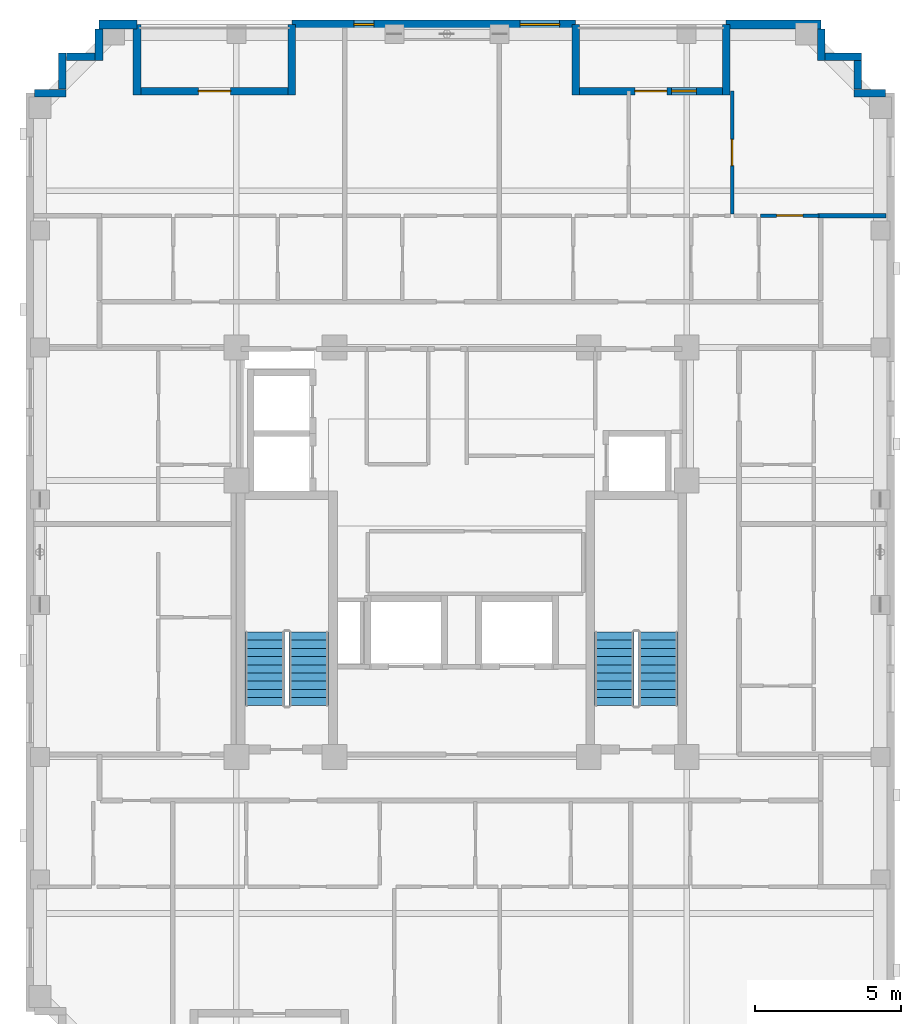
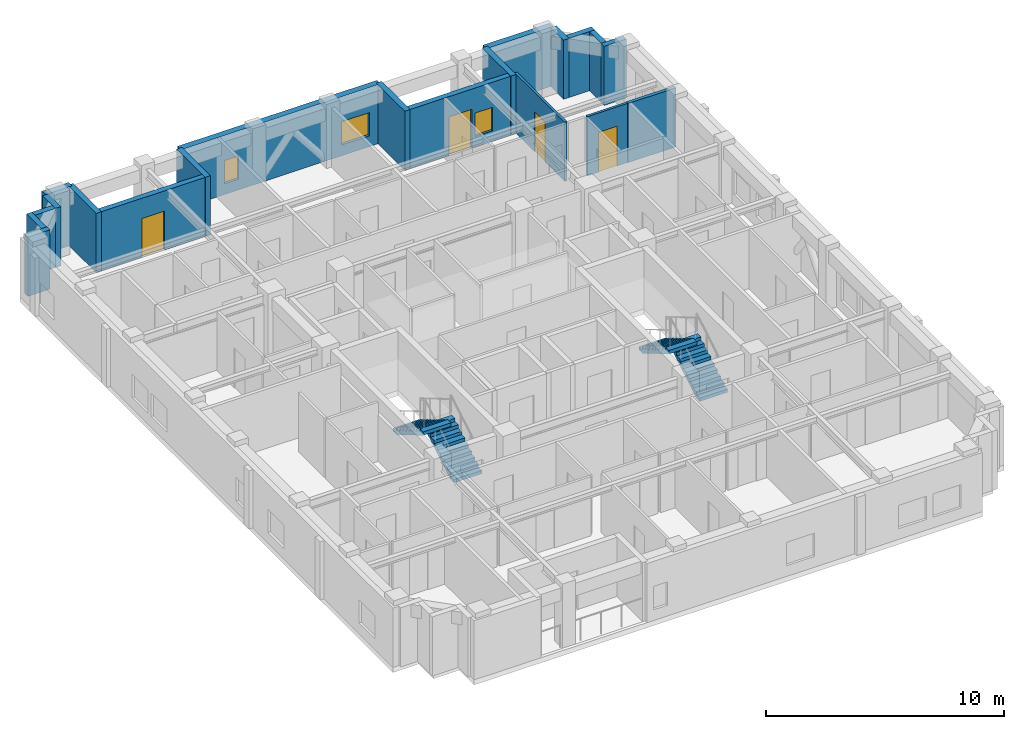
# One storey, part 7 of 11: 20 walls, 4 doors, 4 stair flights, 3 windows, 7 openings, 2 elements without a shape of their own.
"""IFC4 building model written with IfcOpenShell, lengths in metres."""

from ifc_helpers import new_model, si_unit, derived_unit, direction, frame, frame_2d, origin, place, context, subcontext, project, spatial, polyline, rectangle, outline, extrude, material, layer, layer_set, type_object, element, fill, aggregate, save


model = new_model("IFC4")

# Units and contexts
model_context = context("Model", 3, precision=1e-05, world=origin(), true_north=direction((0.0, 1.0)))
body_context = subcontext(model_context, "Body", "Model", "MODEL_VIEW")
ifc_project = project(units=[si_unit("LENGTHUNIT", "METRE"), si_unit("AREAUNIT", "SQUARE_METRE"), si_unit("VOLUMEUNIT", "CUBIC_METRE"), si_unit("PLANEANGLEUNIT", "RADIAN"), si_unit("MASSUNIT", "GRAM", prefix="KILO"), derived_unit("THERMALTRANSMITTANCEUNIT", [(si_unit("MASSUNIT", "GRAM", prefix="KILO"), 1), (si_unit("TIMEUNIT", "SECOND"), -3), (si_unit("THERMODYNAMICTEMPERATUREUNIT", "KELVIN"), -1)])], contexts=[model_context])

# Site, building, storey
site_placement = place(None, origin())
site = spatial("IfcSite", under=ifc_project, at=site_placement, CompositionType="ELEMENT")
building_placement = place(site_placement, origin())
building = spatial("IfcBuilding", under=site, at=building_placement, Name="Korrvale Station Residences", CompositionType="ELEMENT")
storey_placement = place(building_placement, frame((0.0, 0.0, 187.60009765625)))
storey = spatial("IfcBuildingStorey", under=building, at=storey_placement, Name="L54", CompositionType="ELEMENT", Elevation=187.60009765625)

# Wall
ifc_material_1 = material(Name="Precast concrete C45/55", Category="concrete")
ifc_layer_1 = layer(ifc_material_1, 0.260009765625, Name="Precast concrete C45/55")
ifc_layer_set_1 = layer_set([ifc_layer_1], Name="Precast concrete C45/55")
wall_type_1 = type_object("IfcWallType", Name="WAL-EXT-LOG260", PredefinedType="SOLIDWALL", material=ifc_layer_set_1)
wall_1_placement = place(storey_placement, frame((14.39990234375, 40.0400390625, 0.0), z_axis=(0.0, 0.0, 1.0), x_axis=(0.0, -1.0, 0.0)))
element("IfcWall", 1, at=wall_1_placement, inside=storey, type_object=wall_type_1, Name="L54 Recessed Loggia Wall BAL-L54-N2-L", PredefinedType="SOLIDWALL", context=body_context, shape_type="SweptSolid", body=[
    extrude(rectangle(XDim=2.400146484375, YDim=0.260009765625, at=frame_2d((1.2001953125, 0.0))), origin(), (0.0, 0.0, 1.0), 3.039794921875),
])

# Wall, opening, door
wall_2_placement = place(storey_placement, frame((14.533935546875, 37.77001953125, 0.0), z_axis=(0.0, 0.0, 1.0), x_axis=(1.0, 0.0, 0.0)))
wall_2 = element("IfcWall", 2, at=wall_2_placement, inside=storey, type_object=wall_type_1, Name="L54 Recessed Loggia Wall BAL-L54-N2-B", PredefinedType="SOLIDWALL", context=body_context, shape_type="SweptSolid", body=[
    extrude(rectangle(XDim=5.031982421875, YDim=0.260009765625, at=frame_2d((2.51611328125, 0.0))), origin(), (0.0, 0.0, 1.0), 3.039794921875),
])
opening_1_placement = place(wall_2_placement, frame((1.966064453125, 0.0, 0.0)))
opening_1 = element("IfcOpeningElement", 3, at=opening_1_placement, cuts=wall_2, Name="Opening BD-01", PredefinedType="OPENING", context=body_context, shape_type="SweptSolid", body=[
    extrude(rectangle(XDim=1.10009765625, YDim=2.0, at=frame_2d((0.550048828125, 1.0))), frame((0.0, 0.14013671875, 0.0), z_axis=(0.0, -1.0, 0.0), x_axis=(1.0, 0.0, 0.0)), (0.0, 0.0, 1.0), 0.280029296875),
])
ifc_material_2 = material(Name="Exterior thermally broken aluminium glazed balcony door", Category="aluminium")
door_type_1 = type_object("IfcDoorType", Name="DR-EXT-BAL", OperationType="NOTDEFINED", PredefinedType="DOOR", material=ifc_material_2)
door_1_placement = place(opening_1_placement, origin())
door_1 = element("IfcDoor", 4, at=door_1_placement, inside=storey, type_object=door_type_1, Name="L54 Loggia Balcony Door BAL-L54-N2", OperationType="SINGLE_SWING_RIGHT", OverallHeight=2.0, OverallWidth=1.10009765625, PredefinedType="DOOR", context=body_context, shape_type="SweptSolid", body=[
    extrude(rectangle(XDim=1.10009765625, YDim=2.0, at=frame_2d((0.550048828125, 1.0))), frame((0.0, 0.02490234375, 0.0), z_axis=(0.0, -1.0, 0.0), x_axis=(1.0, 0.0, 0.0)), (0.0, 0.0, 1.0), 0.050048828125),
])
fill(opening_1, door_1)

# Walls
for number, where, z_axis, x_axis, name in (
    (5, (19.699951171875, 37.639892578125, 0.0), (0.0, 0.0, 1.0), (0.0, 1.0, 0.0), "L54 Recessed Loggia Wall BAL-L54-N2-R"),
    (6, (29.39990234375, 40.0400390625, 0.0), (0.0, 0.0, 1.0), (0.0, -1.0, 0.0), "L54 Recessed Loggia Wall BAL-L54-N1-L"),
):
    element("IfcWall", number, at=place(storey_placement, frame(where, z_axis=z_axis, x_axis=x_axis)), inside=storey, type_object=wall_type_1, Name=name, PredefinedType="SOLIDWALL", context=body_context, shape_type="SweptSolid", body=[
        extrude(rectangle(XDim=2.400146484375, YDim=0.260009765625, at=frame_2d((1.2001953125, 0.0))), origin(), (0.0, 0.0, 1.0), 3.039794921875),
    ])

# Wall, openings, door, window
wall_3_placement = place(storey_placement, frame((29.533935546875, 37.77001953125, 0.0), z_axis=(0.0, 0.0, 1.0), x_axis=(1.0, 0.0, 0.0)))
wall_3 = element("IfcWall", 7, at=wall_3_placement, inside=storey, type_object=wall_type_1, Name="L54 Recessed Loggia Wall BAL-L54-N1-B", PredefinedType="SOLIDWALL", context=body_context, shape_type="SweptSolid", body=[
    extrude(rectangle(XDim=4.882080078125, YDim=0.260009765625, at=frame_2d((2.44091796875, 0.0))), origin(), (0.0, 0.0, 1.0), 3.039794921875),
])
opening_2_placement = place(wall_3_placement, frame((1.89111328125, 0.0, 0.0)))
opening_2 = element("IfcOpeningElement", 8, at=opening_2_placement, cuts=wall_3, Name="Opening BD-01", PredefinedType="OPENING", context=body_context, shape_type="SweptSolid", body=[
    extrude(rectangle(XDim=1.10009765625, YDim=2.0, at=frame_2d((0.550048828125, 1.0))), frame((0.0, 0.14013671875, 0.0), z_axis=(0.0, -1.0, 0.0), x_axis=(1.0, 0.0, 0.0)), (0.0, 0.0, 1.0), 0.280029296875),
])
opening_3_placement = place(wall_3_placement, frame((3.15087890625, 0.0, 0.550048828125)))
opening_3 = element("IfcOpeningElement", 9, at=opening_3_placement, cuts=wall_3, Name="Opening W-11", PredefinedType="OPENING", context=body_context, shape_type="SweptSolid", body=[
    extrude(rectangle(XDim=0.85009765625, YDim=1.199951171875, at=frame_2d((0.425048828125, 0.60009765625))), frame((0.0, 0.14013671875, 0.0), z_axis=(0.0, -1.0, 0.0), x_axis=(1.0, 0.0, 0.0)), (0.0, 0.0, 1.0), 0.280029296875),
])
door_2_placement = place(opening_2_placement, origin())
door_2 = element("IfcDoor", 10, at=door_2_placement, inside=storey, type_object=door_type_1, Name="L54 Loggia Balcony Door BAL-L54-N1", OperationType="SINGLE_SWING_LEFT", OverallHeight=2.0, OverallWidth=1.10009765625, PredefinedType="DOOR", context=body_context, shape_type="SweptSolid", body=[
    extrude(rectangle(XDim=1.10009765625, YDim=2.0, at=frame_2d((0.550048828125, 1.0))), frame((0.0, 0.02490234375, 0.0), z_axis=(0.0, -1.0, 0.0), x_axis=(1.0, 0.0, 0.0)), (0.0, 0.0, 1.0), 0.050048828125),
])
fill(opening_2, door_2)
ifc_material_3 = material(Name="Thermally broken aluminium frame with triple low-e glazing", Category="aluminium")
window_type_1 = type_object("IfcWindowType", Name="WIN-W11", PartitioningType="SINGLE_PANEL", PredefinedType="WINDOW", material=ifc_material_3)
window_1_placement = place(opening_3_placement, origin())
window_1 = element("IfcWindow", 11, at=window_1_placement, inside=storey, type_object=window_type_1, Name="L54 Punched Window 09", OverallHeight=1.199951171875, OverallWidth=0.85009765625, PartitioningType="SINGLE_PANEL", PredefinedType="WINDOW", context=body_context, shape_type="SweptSolid", body=[
    extrude(rectangle(XDim=0.85009765625, YDim=1.199951171875, at=frame_2d((0.425048828125, 0.60009765625))), frame((0.0, 0.030029296875, 0.0), z_axis=(0.0, -1.0, 0.0), x_axis=(1.0, 0.0, 0.0)), (0.0, 0.0, 1.0), 0.06005859375),
])
fill(opening_3, window_1)

# Walls
wall_4_placement = place(storey_placement, frame((34.550048828125, 37.639892578125, 0.0), z_axis=(0.0, 0.0, 1.0), x_axis=(0.0, 1.0, 0.0)))
element("IfcWall", 12, at=wall_4_placement, inside=storey, type_object=wall_type_1, Name="L54 Recessed Loggia Wall BAL-L54-N1-R", PredefinedType="SOLIDWALL", context=body_context, shape_type="SweptSolid", body=[
    extrude(rectangle(XDim=2.400146484375, YDim=0.260009765625, at=frame_2d((1.2001953125, 0.0))), origin(), (0.0, 0.0, 1.0), 3.039794921875),
])
wall_5_placement = place(storey_placement, frame((10.902099609375, 37.699951171875, 0.0), z_axis=(0.0, 0.0, 1.0), x_axis=(1.0, 0.0, 0.0)))
element("IfcWall", 13, at=wall_5_placement, inside=storey, type_object=wall_type_1, Name="L54 Serrated Corner Precast Step NW-1", PredefinedType="SOLIDWALL", context=body_context, shape_type="SweptSolid", body=[
    extrude(rectangle(XDim=1.077880859375, YDim=0.260009765625, at=frame_2d((0.5390625, 0.0))), origin(), (0.0, 0.0, 1.0), 3.039794921875),
])
wall_6_placement = place(storey_placement, frame((11.85009765625, 37.83203125, 0.0), z_axis=(0.0, 0.0, 1.0), x_axis=(0.0, 1.0, 0.0)))
element("IfcWall", 14, at=wall_6_placement, inside=storey, type_object=wall_type_1, Name="L54 Serrated Corner Precast Step NW-2", PredefinedType="SOLIDWALL", context=body_context, shape_type="SweptSolid", body=[
    extrude(rectangle(XDim=1.248046875, YDim=0.260009765625, at=frame_2d((0.6240234375, 0.0))), origin(), (0.0, 0.0, 1.0), 3.039794921875),
])
wall_7_placement = place(storey_placement, frame((11.98193359375, 38.949951171875, 0.0), z_axis=(0.0, 0.0, 1.0), x_axis=(1.0, 0.0, 0.0)))
element("IfcWall", 15, at=wall_7_placement, inside=storey, type_object=wall_type_1, Name="L54 Serrated Corner Precast Step NW-3", PredefinedType="SOLIDWALL", context=body_context, shape_type="SweptSolid", body=[
    extrude(rectangle(XDim=0.986083984375, YDim=0.260009765625, at=frame_2d((0.4931640625, 0.0))), origin(), (0.0, 0.0, 1.0), 3.039794921875),
])
for number, where, z_axis, x_axis, name in (
    (16, (13.10009765625, 38.820068359375, 0.0), (0.0, 0.0, 1.0), (0.0, 1.0, 0.0), "L54 Serrated Corner Precast Step NW-4"),
    (17, (37.800048828125, 39.89794921875, 0.0), (0.0, 0.0, 1.0), (0.0, -1.0, 0.0), "L54 Serrated Corner Precast Step NE-1"),
):
    element("IfcWall", number, at=place(storey_placement, frame(where, z_axis=z_axis, x_axis=x_axis)), inside=storey, type_object=wall_type_1, Name=name, PredefinedType="SOLIDWALL", context=body_context, shape_type="SweptSolid", body=[
        extrude(rectangle(XDim=1.077880859375, YDim=0.260009765625, at=frame_2d((0.5390625, 0.0))), origin(), (0.0, 0.0, 1.0), 3.039794921875),
    ])
wall_8_placement = place(storey_placement, frame((37.931884765625, 38.949951171875, 0.0), z_axis=(0.0, 0.0, 1.0), x_axis=(1.0, 0.0, 0.0)))
element("IfcWall", 18, at=wall_8_placement, inside=storey, type_object=wall_type_1, Name="L54 Serrated Corner Precast Step NE-2", PredefinedType="SOLIDWALL", context=body_context, shape_type="SweptSolid", body=[
    extrude(rectangle(XDim=1.248046875, YDim=0.260009765625, at=frame_2d((0.6240234375, 0.0))), origin(), (0.0, 0.0, 1.0), 3.039794921875),
])
wall_9_placement = place(storey_placement, frame((39.050048828125, 38.818115234375, 0.0), z_axis=(0.0, 0.0, 1.0), x_axis=(0.0, -1.0, 0.0)))
element("IfcWall", 19, at=wall_9_placement, inside=storey, type_object=wall_type_1, Name="L54 Serrated Corner Precast Step NE-3", PredefinedType="SOLIDWALL", context=body_context, shape_type="SweptSolid", body=[
    extrude(rectangle(XDim=0.986083984375, YDim=0.260009765625, at=frame_2d((0.4931640625, 0.0))), origin(), (0.0, 0.0, 1.0), 3.039794921875),
])
wall_10_placement = place(storey_placement, frame((38.919921875, 37.699951171875, 0.0), z_axis=(0.0, 0.0, 1.0), x_axis=(1.0, 0.0, 0.0)))
element("IfcWall", 20, at=wall_10_placement, inside=storey, type_object=wall_type_1, Name="L54 Serrated Corner Precast Step NE-4", PredefinedType="SOLIDWALL", context=body_context, shape_type="SweptSolid", body=[
    extrude(rectangle(XDim=1.078125, YDim=0.260009765625, at=frame_2d((0.5390625, 0.0))), origin(), (0.0, 0.0, 1.0), 3.039794921875),
])
ifc_layer_2 = layer(ifc_material_1, 0.300048828125, Name="Precast concrete C45/55")
ifc_layer_set_2 = layer_set([ifc_layer_2], Name="Precast concrete C45/55")
wall_type_2 = type_object("IfcWallType", Name="WAL-EXT-PC300", PredefinedType="SOLIDWALL", material=ifc_layer_set_2)
wall_11_placement = place(storey_placement, frame((13.10009765625, 40.050048828125, 0.0), z_axis=(0.0, 0.0, 1.0), x_axis=(1.0, 0.0, 0.0)))
element("IfcWall", 21, at=wall_11_placement, inside=storey, type_object=wall_type_2, Name="L54 North Exterior Precast Wall 1", PredefinedType="SOLIDWALL", context=body_context, shape_type="SweptSolid", body=[
    extrude(rectangle(XDim=1.2998046875, YDim=0.300048828125, at=frame_2d((0.64990234375, 0.0))), origin(), (0.0, 0.0, 1.0), 3.039794921875),
])

# Wall, openings, windows
wall_12_placement = place(storey_placement, frame((19.699951171875, 40.050048828125, 0.0), z_axis=(0.0, 0.0, 1.0), x_axis=(1.0, 0.0, 0.0)))
wall_12 = element("IfcWall", 22, at=wall_12_placement, inside=storey, type_object=wall_type_2, Name="L54 North Exterior Precast Wall 2", PredefinedType="SOLIDWALL", context=body_context, shape_type="SweptSolid", body=[
    extrude(rectangle(XDim=9.699951171875, YDim=0.300048828125, at=frame_2d((4.85009765625, 0.0))), origin(), (0.0, 0.0, 1.0), 3.039794921875),
])
opening_4_placement = place(wall_12_placement, frame((2.1201171875, 0.0, 0.550048828125)))
opening_4 = element("IfcOpeningElement", 23, at=opening_4_placement, cuts=wall_12, Name="Opening W-12", PredefinedType="OPENING", context=body_context, shape_type="SweptSolid", body=[
    extrude(rectangle(XDim=0.679931640625, YDim=1.199951171875, at=frame_2d((0.33984375, 0.60009765625))), frame((0.0, 0.16015625, 0.0), z_axis=(0.0, -1.0, 0.0), x_axis=(1.0, 0.0, 0.0)), (0.0, 0.0, 1.0), 0.320068359375),
])
opening_5_placement = place(wall_12_placement, frame((7.800048828125, 0.0, 0.550048828125)))
opening_5 = element("IfcOpeningElement", 24, at=opening_5_placement, cuts=wall_12, Name="Opening W-10", PredefinedType="OPENING", context=body_context, shape_type="SweptSolid", body=[
    extrude(rectangle(XDim=1.35009765625, YDim=1.199951171875, at=frame_2d((0.675048828125, 0.60009765625))), frame((0.0, 0.16015625, 0.0), z_axis=(0.0, -1.0, 0.0), x_axis=(1.0, 0.0, 0.0)), (0.0, 0.0, 1.0), 0.320068359375),
])
window_type_2 = type_object("IfcWindowType", Name="WIN-W10", PartitioningType="SINGLE_PANEL", PredefinedType="WINDOW", material=ifc_material_3)
window_2_placement = place(opening_5_placement, origin())
window_2 = element("IfcWindow", 25, at=window_2_placement, inside=storey, type_object=window_type_2, Name="L54 Punched Window 08", OverallHeight=1.199951171875, OverallWidth=1.35009765625, PartitioningType="SINGLE_PANEL", PredefinedType="WINDOW", context=body_context, shape_type="SweptSolid", body=[
    extrude(rectangle(XDim=1.35009765625, YDim=1.199951171875, at=frame_2d((0.675048828125, 0.60009765625))), frame((0.0, 0.030029296875, 0.0), z_axis=(0.0, -1.0, 0.0), x_axis=(1.0, 0.0, 0.0)), (0.0, 0.0, 1.0), 0.06005859375),
])
fill(opening_5, window_2)
window_type_3 = type_object("IfcWindowType", Name="WIN-W12", PartitioningType="SINGLE_PANEL", PredefinedType="WINDOW", material=ifc_material_3)
window_3_placement = place(opening_4_placement, origin())
window_3 = element("IfcWindow", 26, at=window_3_placement, inside=storey, type_object=window_type_3, Name="L54 Punched Window 07", OverallHeight=1.199951171875, OverallWidth=0.679931640625, PartitioningType="SINGLE_PANEL", PredefinedType="WINDOW", context=body_context, shape_type="SweptSolid", body=[
    extrude(rectangle(XDim=0.679931640625, YDim=1.199951171875, at=frame_2d((0.33984375, 0.60009765625))), frame((0.0, 0.030029296875, 0.0), z_axis=(0.0, -1.0, 0.0), x_axis=(1.0, 0.0, 0.0)), (0.0, 0.0, 1.0), 0.06005859375),
])
fill(opening_4, window_3)

# Wall
wall_13_placement = place(storey_placement, frame((34.550048828125, 40.050048828125, 0.0), z_axis=(0.0, 0.0, 1.0), x_axis=(1.0, 0.0, 0.0)))
element("IfcWall", 27, at=wall_13_placement, inside=storey, type_object=wall_type_2, Name="L54 North Exterior Precast Wall 3", PredefinedType="SOLIDWALL", context=body_context, shape_type="SweptSolid", body=[
    extrude(rectangle(XDim=3.25, YDim=0.300048828125, at=frame_2d((1.625, 0.0))), origin(), (0.0, 0.0, 1.0), 3.039794921875),
])

# Wall, opening, door
ifc_material_4 = material(Name="Acoustic steel-stud gypsum board partition", Category="steel")
ifc_layer_3 = layer(ifc_material_4, 0.1201171875, Name="Acoustic steel-stud gypsum board partition")
ifc_layer_set_3 = layer_set([ifc_layer_3], Name="Acoustic steel-stud gypsum board partition")
wall_type_3 = type_object("IfcWallType", Name="WAL-PART-125", PredefinedType="PARTITIONING", material=ifc_layer_set_3)
wall_14_placement = place(storey_placement, frame((35.73193359375, 33.510009765625, 0.0), z_axis=(0.0, 0.0, 1.0), x_axis=(1.0, 0.0, 0.0)))
wall_14 = element("IfcWall", 28, at=wall_14_placement, inside=storey, type_object=wall_type_3, Name="L54 Suite Partition U06-H36", PredefinedType="PARTITIONING", context=body_context, shape_type="SweptSolid", body=[
    extrude(rectangle(XDim=1.988037109375, YDim=0.1201171875, at=frame_2d((0.994140625, 0.0))), origin(), (0.0, 0.0, 1.0), 3.039794921875),
])
opening_6_placement = place(wall_14_placement, frame((0.5439453125, 0.0, 0.0)))
opening_6 = element("IfcOpeningElement", 29, at=opening_6_placement, cuts=wall_14, Name="Opening DI-900", PredefinedType="OPENING", context=body_context, shape_type="SweptSolid", body=[
    extrude(rectangle(XDim=0.89990234375, YDim=2.050048828125, at=frame_2d((0.449951171875, 1.02490234375))), frame((0.0, 0.070068359375, 0.0), z_axis=(0.0, -1.0, 0.0), x_axis=(1.0, 0.0, 0.0)), (0.0, 0.0, 1.0), 0.14013671875),
])
ifc_material_5 = material(Name="Painted solid-core timber interior room door", Category="wood")
door_type_2 = type_object("IfcDoorType", Name="DR-INT-900", OperationType="NOTDEFINED", PredefinedType="DOOR", material=ifc_material_5)
door_3_placement = place(opening_6_placement, origin())
door_3 = element("IfcDoor", 30, at=door_3_placement, inside=storey, type_object=door_type_2, Name="L54 Apartment 1BR L54-U06 Utility and Laundry Room Door", OperationType="SINGLE_SWING_LEFT", OverallHeight=2.050048828125, OverallWidth=0.89990234375, PredefinedType="DOOR", context=body_context, shape_type="SweptSolid", body=[
    extrude(rectangle(XDim=0.89990234375, YDim=2.050048828125, at=frame_2d((0.449951171875, 1.02490234375))), frame((0.0, 0.02490234375, 0.0), z_axis=(0.0, -1.0, 0.0), x_axis=(1.0, 0.0, 0.0)), (0.0, 0.0, 1.0), 0.050048828125),
])
fill(opening_6, door_3)

wall_15_placement = place(storey_placement, frame((34.75, 33.570068359375, 0.0), z_axis=(0.0, 0.0, 1.0), x_axis=(0.0, 1.0, 0.0)))
wall_15 = element("IfcWall", 31, at=wall_15_placement, inside=storey, type_object=wall_type_3, Name="L54 Suite Partition U06-V56", PredefinedType="PARTITIONING", context=body_context, shape_type="SweptSolid", body=[
    extrude(rectangle(XDim=4.199951171875, YDim=0.1201171875, at=frame_2d((2.10009765625, 0.0))), origin(), (0.0, 0.0, 1.0), 3.039794921875),
])
opening_7_placement = place(wall_15_placement, frame((1.64990234375, 0.0, 0.0)))
opening_7 = element("IfcOpeningElement", 32, at=opening_7_placement, cuts=wall_15, Name="Opening DI-900", PredefinedType="OPENING", context=body_context, shape_type="SweptSolid", body=[
    extrude(rectangle(XDim=0.89990234375, YDim=2.050048828125, at=frame_2d((0.449951171875, 1.02490234375))), frame((0.0, 0.070068359375, 0.0), z_axis=(0.0, -1.0, 0.0), x_axis=(1.0, 0.0, 0.0)), (0.0, 0.0, 1.0), 0.14013671875),
])
door_4_placement = place(opening_7_placement, origin())
door_4 = element("IfcDoor", 33, at=door_4_placement, inside=storey, type_object=door_type_2, Name="L54 Apartment 1BR L54-U06 Formal Dining Room Door", OperationType="SINGLE_SWING_LEFT", OverallHeight=2.050048828125, OverallWidth=0.89990234375, PredefinedType="DOOR", context=body_context, shape_type="SweptSolid", body=[
    extrude(rectangle(XDim=0.89990234375, YDim=2.050048828125, at=frame_2d((0.449951171875, 1.02490234375))), frame((0.0, 0.02490234375, 0.0), z_axis=(0.0, -1.0, 0.0), x_axis=(1.0, 0.0, 0.0)), (0.0, 0.0, 1.0), 0.050048828125),
])
fill(opening_7, door_4)

# Wall
ifc_material_6 = material(Name="Fire-rated twin-stud gypsum and mineral wool shaftwall assembly", Category="gypsum")
ifc_layer_4 = layer(ifc_material_6, 0.159912109375, Name="Fire-rated twin-stud gypsum and mineral wool shaftwall assembly")
ifc_layer_set_4 = layer_set([ifc_layer_4], Name="Fire-rated twin-stud gypsum and mineral wool shaftwall assembly")
wall_type_4 = type_object("IfcWallType", Name="WAL-PART-200", PredefinedType="PARTITIONING", material=ifc_layer_set_4)
wall_16_placement = place(storey_placement, frame((37.679931640625, 33.510009765625, 0.0), z_axis=(0.0, 0.0, 1.0), x_axis=(1.0, 0.0, 0.0)))
element("IfcWall", 34, at=wall_16_placement, inside=storey, type_object=wall_type_4, Name="L54 Corner Step Wall U06-R", PredefinedType="PARTITIONING", context=body_context, shape_type="SweptSolid", body=[
    extrude(rectangle(XDim=2.340087890625, YDim=0.159912109375, at=frame_2d((1.169921875, 0.0))), origin(), (0.0, 0.0, 1.0), 3.039794921875),
])

# Stair, stair flights
ifc_material_7 = material(Name="Concrete C50/60", Category="concrete")
stair_type = type_object("IfcStairType", Name="STR-DL-1350-20R-1650", PredefinedType="HALF_TURN_STAIR", material=ifc_material_7)
stair_1_placement = place(storey_placement, origin())
stair_1 = element("IfcStair", 35, at=stair_1_placement, inside=storey, type_object=stair_type, Name="L54 Exit Stair 1", PredefinedType="HALF_TURN_STAIR")
stair_flight_type = type_object("IfcStairFlightType", Name="FLT-DL-1350-20R-1650", PredefinedType="STRAIGHT", material=ifc_material_7)
stair_flight_1_placement = place(storey_placement, frame((20.27490234375, 16.75, 0.0), z_axis=(0.0, 0.0, 1.0), x_axis=(0.0, 1.0, 0.0)))
stair_flight_1 = element("IfcStairFlight", 36, at=stair_flight_1_placement, type_object=stair_flight_type, Name="ST-1 flight 1", NumberOfRisers=10, NumberOfTreads=9, PredefinedType="STRAIGHT", RiserHeight=0.165, TreadLength=0.28, context=body_context, shape_type="SweptSolid", body=[
    extrude(outline(polyline([(0.0, 0.0), (0.0, 0.1650390625), (0.280029296875, 0.1650390625), (0.280029296875, 0.330078125), (0.56005859375, 0.330078125), (0.56005859375, 0.4951171875), (0.840087890625, 0.4951171875), (0.840087890625, 0.659912109375), (1.1201171875, 0.659912109375), (1.1201171875, 0.824951171875), (1.39990234375, 0.824951171875), (1.39990234375, 0.989990234375), (1.679931640625, 0.989990234375), (1.679931640625, 1.155029296875), (1.9599609375, 1.155029296875), (1.9599609375, 1.320068359375), (2.239990234375, 1.320068359375), (2.239990234375, 1.485107421875), (2.52001953125, 1.485107421875), (2.52001953125, 1.64990234375), (2.52001953125, 1.31103515625), (0.295166015625, 0.0), (0.0, 0.0)])), frame((0.0, 0.675048828125, 0.0), z_axis=(0.0, -1.0, 0.0), x_axis=(1.0, 0.0, 0.0)), (0.0, 0.0, 1.0), 1.35009765625),
])
stair_flight_2_placement = place(storey_placement, frame((18.77490234375, 19.27001953125, 1.64990234375), z_axis=(0.0, 0.0, 1.0), x_axis=(0.0, -1.0, 0.0)))
stair_flight_2 = element("IfcStairFlight", 37, at=stair_flight_2_placement, type_object=stair_flight_type, Name="ST-1 flight 2", NumberOfRisers=10, NumberOfTreads=9, PredefinedType="STRAIGHT", RiserHeight=0.165, TreadLength=0.28, context=body_context, shape_type="SweptSolid", body=[
    extrude(outline(polyline([(0.0, 0.0), (0.0, 0.1650390625), (0.280029296875, 0.1650390625), (0.280029296875, 0.330078125), (0.56005859375, 0.330078125), (0.56005859375, 0.4951171875), (0.840087890625, 0.4951171875), (0.840087890625, 0.659912109375), (1.1201171875, 0.659912109375), (1.1201171875, 0.824951171875), (1.39990234375, 0.824951171875), (1.39990234375, 0.989990234375), (1.679931640625, 0.989990234375), (1.679931640625, 1.155029296875), (1.9599609375, 1.155029296875), (1.9599609375, 1.320068359375), (2.239990234375, 1.320068359375), (2.239990234375, 1.485107421875), (2.52001953125, 1.485107421875), (2.52001953125, 1.64990234375), (2.52001953125, 1.31103515625), (0.295166015625, 0.0), (0.0, 0.0)])), frame((0.0, 0.675048828125, 0.0), z_axis=(0.0, -1.0, 0.0), x_axis=(1.0, 0.0, 0.0)), (0.0, 0.0, 1.0), 1.35009765625),
])
aggregate(stair_1, [stair_flight_1, stair_flight_2])

stair_2_placement = place(storey_placement, origin())
stair_2 = element("IfcStair", 38, at=stair_2_placement, inside=storey, type_object=stair_type, Name="L54 Exit Stair 2", PredefinedType="HALF_TURN_STAIR")
stair_flight_3_placement = place(storey_placement, frame((32.22509765625, 16.75, 0.0), z_axis=(0.0, 0.0, 1.0), x_axis=(0.0, 1.0, 0.0)))
stair_flight_3 = element("IfcStairFlight", 39, at=stair_flight_3_placement, type_object=stair_flight_type, Name="ST-2 flight 1", NumberOfRisers=10, NumberOfTreads=9, PredefinedType="STRAIGHT", RiserHeight=0.165, TreadLength=0.28, context=body_context, shape_type="SweptSolid", body=[
    extrude(outline(polyline([(0.0, 0.0), (0.0, 0.1650390625), (0.280029296875, 0.1650390625), (0.280029296875, 0.330078125), (0.56005859375, 0.330078125), (0.56005859375, 0.4951171875), (0.840087890625, 0.4951171875), (0.840087890625, 0.659912109375), (1.1201171875, 0.659912109375), (1.1201171875, 0.824951171875), (1.39990234375, 0.824951171875), (1.39990234375, 0.989990234375), (1.679931640625, 0.989990234375), (1.679931640625, 1.155029296875), (1.9599609375, 1.155029296875), (1.9599609375, 1.320068359375), (2.239990234375, 1.320068359375), (2.239990234375, 1.485107421875), (2.52001953125, 1.485107421875), (2.52001953125, 1.64990234375), (2.52001953125, 1.31103515625), (0.295166015625, 0.0), (0.0, 0.0)])), frame((0.0, 0.675048828125, 0.0), z_axis=(0.0, -1.0, 0.0), x_axis=(1.0, 0.0, 0.0)), (0.0, 0.0, 1.0), 1.35009765625),
])
stair_flight_4_placement = place(storey_placement, frame((30.72509765625, 19.27001953125, 1.64990234375), z_axis=(0.0, 0.0, 1.0), x_axis=(0.0, -1.0, 0.0)))
stair_flight_4 = element("IfcStairFlight", 40, at=stair_flight_4_placement, type_object=stair_flight_type, Name="ST-2 flight 2", NumberOfRisers=10, NumberOfTreads=9, PredefinedType="STRAIGHT", RiserHeight=0.165, TreadLength=0.28, context=body_context, shape_type="SweptSolid", body=[
    extrude(outline(polyline([(0.0, 0.0), (0.0, 0.1650390625), (0.280029296875, 0.1650390625), (0.280029296875, 0.330078125), (0.56005859375, 0.330078125), (0.56005859375, 0.4951171875), (0.840087890625, 0.4951171875), (0.840087890625, 0.659912109375), (1.1201171875, 0.659912109375), (1.1201171875, 0.824951171875), (1.39990234375, 0.824951171875), (1.39990234375, 0.989990234375), (1.679931640625, 0.989990234375), (1.679931640625, 1.155029296875), (1.9599609375, 1.155029296875), (1.9599609375, 1.320068359375), (2.239990234375, 1.320068359375), (2.239990234375, 1.485107421875), (2.52001953125, 1.485107421875), (2.52001953125, 1.64990234375), (2.52001953125, 1.31103515625), (0.295166015625, 0.0), (0.0, 0.0)])), frame((0.0, 0.675048828125, 0.0), z_axis=(0.0, -1.0, 0.0), x_axis=(1.0, 0.0, 0.0)), (0.0, 0.0, 1.0), 1.35009765625),
])
aggregate(stair_2, [stair_flight_3, stair_flight_4])

save(model, "model.ifc")
